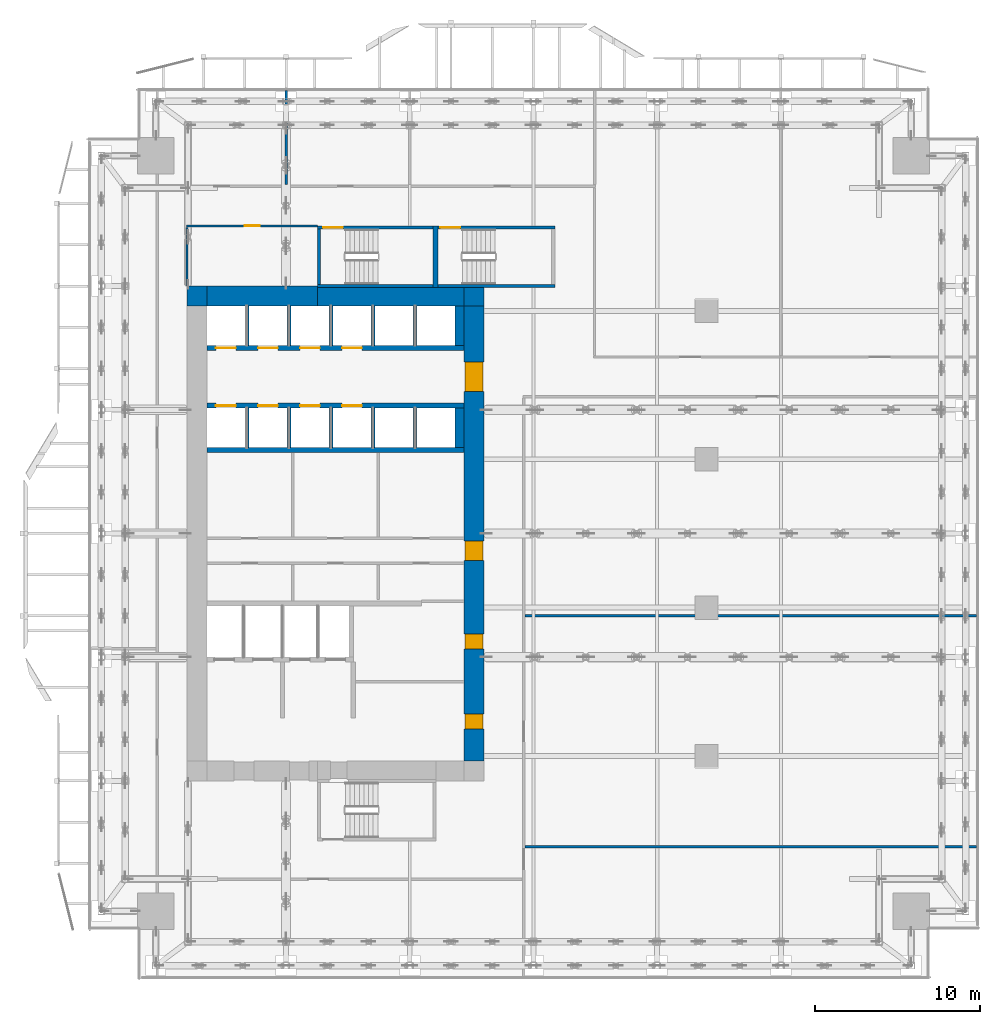
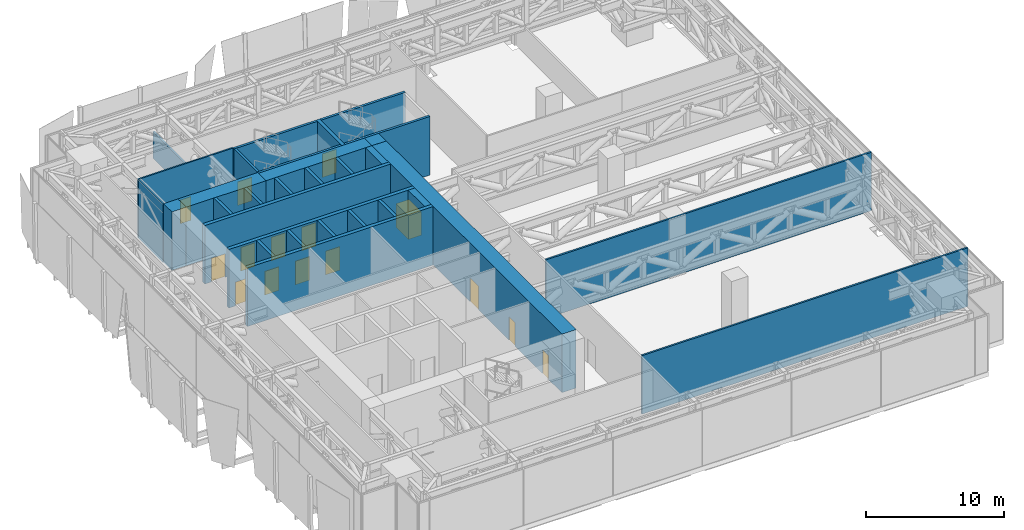
# One storey, part 31 of 39: 31 walls, 15 doors, 15 openings.
"""IFC4 building model written with IfcOpenShell, lengths in metres."""

from ifc_helpers import new_model, si_unit, direction, frame, frame_2d, origin, place, context, subcontext, project, spatial, rectangle, extrude, source, transform, mapped, material, layer, layer_set, type_object, element, fill, save


model = new_model("IFC4")

# Units and contexts
model_context = context("Model", 3, precision=1e-05, world=origin(), true_north=direction((0.0, 1.0)))
body_context = subcontext(model_context, "Body", "Model", "MODEL_VIEW")
ifc_project = project(units=[si_unit("LENGTHUNIT", "METRE"), si_unit("AREAUNIT", "SQUARE_METRE"), si_unit("VOLUMEUNIT", "CUBIC_METRE"), si_unit("PLANEANGLEUNIT", "RADIAN"), si_unit("MASSUNIT", "GRAM", prefix="KILO")], contexts=[model_context])

# Site, building, storey
site_placement = place(None, origin())
site = spatial("IfcSite", under=ifc_project, at=site_placement, CompositionType="ELEMENT")
building_placement = place(site_placement, origin())
building = spatial("IfcBuilding", under=site, at=building_placement, Name="Khomas Fold Tower", CompositionType="ELEMENT")
storey_placement = place(building_placement, frame((0.0, 0.0, 96.0)))
storey = spatial("IfcBuildingStorey", under=building, at=storey_placement, Name="L20", CompositionType="ELEMENT", Elevation=96.0)

# Walls
ifc_material_1 = material(Name="Concrete C70/85", Category="concrete")
ifc_layer_1 = layer(ifc_material_1, 1.199951171875)
ifc_layer_set_1 = layer_set([ifc_layer_1], Name="Concrete C70/85")
wall_type_1 = type_object("IfcWallType", Name="Core wall 1200", PredefinedType="SHEAR", material=ifc_layer_set_1)
shared_shape_1 = source(origin(), body_context, "Body", "SweptSolid", [
    extrude(rectangle(XDim=6.699951171875, YDim=1.199951171875, at=frame_2d((3.35009765625, 0.0))), origin(), (0.0, 0.0, 1.0), 5.199951171875),
])
wall_1_placement = place(storey_placement, frame((7.199951171875, 41.39990234375, 0.0), z_axis=(0.0, 0.0, 1.0), x_axis=(1.0, 0.0, 0.0)))
element("IfcWall", 1, at=wall_1_placement, inside=storey, type_object=wall_type_1, Name="Core wall CW-L-N-B2", PredefinedType="SHEAR", context=body_context, shape_type="MappedRepresentation", body=[
    mapped(shared_shape_1, transform((0.0, 0.0, 0.0))),
])
ifc_material_2 = material(Name="Concrete C70/85", Category="concrete")
ifc_layer_2 = layer(ifc_material_2, 1.10009765625)
ifc_layer_set_2 = layer_set([ifc_layer_2], Name="Concrete C70/85")
wall_type_2 = type_object("IfcWallType", Name="Core wall 1100", PredefinedType="SHEAR", material=ifc_layer_set_2)
shared_shape_2 = source(origin(), body_context, "Body", "SweptSolid", [
    extrude(rectangle(XDim=8.900146484375, YDim=1.10009765625, at=frame_2d((4.4501953125, 0.0))), origin(), (0.0, 0.0, 1.0), 5.199951171875),
])
wall_2_placement = place(storey_placement, frame((13.89990234375, 41.35009765625, 0.0), z_axis=(0.0, 0.0, 1.0), x_axis=(1.0, 0.0, 0.0)))
element("IfcWall", 2, at=wall_2_placement, inside=storey, type_object=wall_type_2, Name="Core wall CW-L-N-B2-1", PredefinedType="SHEAR", context=body_context, shape_type="MappedRepresentation", body=[
    mapped(shared_shape_2, transform((0.0, 0.0, 0.0))),
])
ifc_material_3 = material(Name="Concrete C70/85", Category="concrete")
ifc_layer_3 = layer(ifc_material_3, 1.10009765625)
ifc_layer_set_3 = layer_set([ifc_layer_3], Name="Concrete C70/85")
wall_type_3 = type_object("IfcWallType", Name="Core corner wall 1100", PredefinedType="SHEAR", material=ifc_layer_set_3)
shared_shape_3 = source(origin(), body_context, "Body", "SweptSolid", [
    extrude(rectangle(XDim=1.199951171875, YDim=1.10009765625, at=frame_2d((0.60009765625, 0.0))), origin(), (0.0, 0.0, 1.0), 5.199951171875),
])
wall_3_placement = place(storey_placement, frame((22.800048828125, 41.35009765625, 0.0), z_axis=(0.0, 0.0, 1.0), x_axis=(1.0, 0.0, 0.0)))
element("IfcWall", 3, at=wall_3_placement, inside=storey, type_object=wall_type_3, Name="Core wall CW-L-NE-B2", PredefinedType="SHEAR", context=body_context, shape_type="MappedRepresentation", body=[
    mapped(shared_shape_3, transform((0.0, 0.0, 0.0))),
])
ifc_material_4 = material(Name="Concrete C70/85", Category="concrete")
ifc_layer_4 = layer(ifc_material_4, 1.199951171875)
ifc_layer_set_4 = layer_set([ifc_layer_4], Name="Concrete C70/85")
wall_type_4 = type_object("IfcWallType", Name="Core corner wall 1200", PredefinedType="SHEAR", material=ifc_layer_set_4)
shared_shape_4 = source(origin(), body_context, "Body", "SweptSolid", [
    extrude(rectangle(XDim=1.199951171875, YDim=1.199951171875, at=frame_2d((0.60009765625, 0.0))), origin(), (0.0, 0.0, 1.0), 5.199951171875),
])
wall_4_placement = place(storey_placement, frame((6.0, 41.39990234375, 0.0), z_axis=(0.0, 0.0, 1.0), x_axis=(1.0, 0.0, 0.0)))
element("IfcWall", 4, at=wall_4_placement, inside=storey, type_object=wall_type_4, Name="Core wall CW-L-NW-B2", PredefinedType="SHEAR", context=body_context, shape_type="MappedRepresentation", body=[
    mapped(shared_shape_4, transform((0.0, 0.0, 0.0))),
])

# Wall, openings, doors
shared_shape_5 = source(origin(), body_context, "Body", "SweptSolid", [
    extrude(rectangle(XDim=27.60009765625, YDim=1.199951171875, at=frame_2d((13.800048828125, 0.0))), origin(), (0.0, 0.0, 1.0), 5.199951171875),
])
wall_5_placement = place(storey_placement, frame((23.39990234375, 13.199951171875, 0.0), z_axis=(0.0, 0.0, 1.0), x_axis=(0.0, 1.0, 0.0)))
wall_5 = element("IfcWall", 5, at=wall_5_placement, inside=storey, type_object=wall_type_1, Name="Core wall CW-L-E-B2", PredefinedType="SHEAR", context=body_context, shape_type="MappedRepresentation", body=[
    mapped(shared_shape_5, transform((0.0, 0.0, 0.0))),
])
shared_shape_6 = source(origin(), body_context, "Body", "SweptSolid", [
    extrude(rectangle(XDim=1.800048828125, YDim=2.10009765625, at=frame_2d((0.89990234375, 1.050048828125))), frame((0.0, 0.60986328125, 0.0), z_axis=(0.0, -1.0, 0.0), x_axis=(1.0, 0.0, 0.0)), (0.0, 0.0, 1.0), 1.219970703125),
])
opening_1_placement = place(wall_5_placement, frame((22.39990234375, 0.0, 0.0)))
opening_1 = element("IfcOpeningElement", 6, at=opening_1_placement, cuts=wall_5, Name="Opening 0015", PredefinedType="OPENING", context=body_context, shape_type="MappedRepresentation", body=[
    mapped(shared_shape_6, transform((0.0, 0.0, 0.0))),
])
shared_shape_7 = source(origin(), body_context, "Body", "SweptSolid", [
    extrude(rectangle(XDim=1.199951171875, YDim=2.10009765625, at=frame_2d((0.60009765625, 1.050048828125))), frame((0.0, 0.60986328125, 0.0), z_axis=(0.0, -1.0, 0.0), x_axis=(1.0, 0.0, 0.0)), (0.0, 0.0, 1.0), 1.219970703125),
])
opening_2_placement = place(wall_5_placement, frame((12.14990234375, 0.0, 0.0)))
opening_2 = element("IfcOpeningElement", 7, at=opening_2_placement, cuts=wall_5, Name="Opening 0001", PredefinedType="OPENING", context=body_context, shape_type="MappedRepresentation", body=[
    mapped(shared_shape_7, transform((0.0, 0.0, 0.0))),
])
shared_shape_8 = source(origin(), body_context, "Body", "SweptSolid", [
    extrude(rectangle(XDim=0.89990234375, YDim=2.10009765625, at=frame_2d((0.449951171875, 1.050048828125))), frame((0.0, 0.60986328125, 0.0), z_axis=(0.0, -1.0, 0.0), x_axis=(1.0, 0.0, 0.0)), (0.0, 0.0, 1.0), 1.219970703125),
])
opening_3_placement = place(wall_5_placement, frame((1.949951171875, 0.0, 0.0)))
opening_3 = element("IfcOpeningElement", 8, at=opening_3_placement, cuts=wall_5, Name="Opening 0008", PredefinedType="OPENING", context=body_context, shape_type="MappedRepresentation", body=[
    mapped(shared_shape_8, transform((0.0, 0.0, 0.0))),
])
opening_4_placement = place(wall_5_placement, frame((6.800048828125, 0.0, 0.0)))
opening_4 = element("IfcOpeningElement", 9, at=opening_4_placement, cuts=wall_5, Name="Opening 0003", PredefinedType="OPENING", context=body_context, shape_type="MappedRepresentation", body=[
    mapped(shared_shape_8, transform((0.0, 0.0, 0.0))),
])
ifc_material_5 = material(Name="Timber door leaf", Category="wood")
door_type_1 = type_object("IfcDoorType", Name="Door 1200x2100 right-hand", OperationType="SINGLE_SWING_RIGHT", PredefinedType="DOOR", material=ifc_material_5)
shared_shape_9 = source(origin(), body_context, "Body", "SweptSolid", [
    extrude(rectangle(XDim=1.199951171875, YDim=2.10009765625, at=frame_2d((0.60009765625, 1.050048828125))), frame((0.0, 0.5498046875, 0.0), z_axis=(0.0, -1.0, 0.0), x_axis=(1.0, 0.0, 0.0)), (0.0, 0.0, 1.0), 1.099853515625),
])
door_1_placement = place(opening_2_placement, origin())
door_1 = element("IfcDoor", 10, at=door_1_placement, inside=storey, type_object=door_type_1, Name="Door", OperationType="SINGLE_SWING_RIGHT", OverallHeight=2.10009765625, OverallWidth=1.199951171875, PredefinedType="DOOR", context=body_context, shape_type="MappedRepresentation", body=[
    mapped(shared_shape_9, transform((0.0, 0.0, 0.0))),
])
fill(opening_2, door_1)
ifc_material_6 = material(Name="Timber door leaf", Category="wood")
door_type_2 = type_object("IfcDoorType", Name="Door 900x2100 right-hand", OperationType="SINGLE_SWING_RIGHT", PredefinedType="DOOR", material=ifc_material_6)
shared_shape_10 = source(origin(), body_context, "Body", "SweptSolid", [
    extrude(rectangle(XDim=0.89990234375, YDim=2.10009765625, at=frame_2d((0.449951171875, 1.050048828125))), frame((0.0, 0.5498046875, 0.0), z_axis=(0.0, -1.0, 0.0), x_axis=(1.0, 0.0, 0.0)), (0.0, 0.0, 1.0), 1.099853515625),
])
door_2_placement = place(opening_3_placement, origin())
door_2 = element("IfcDoor", 11, at=door_2_placement, inside=storey, type_object=door_type_2, Name="Door", OperationType="SINGLE_SWING_RIGHT", OverallHeight=2.10009765625, OverallWidth=0.89990234375, PredefinedType="DOOR", context=body_context, shape_type="MappedRepresentation", body=[
    mapped(shared_shape_10, transform((0.0, 0.0, 0.0))),
])
fill(opening_3, door_2)
ifc_material_7 = material(Name="Steel door leaf", Category="steel")
door_type_3 = type_object("IfcDoorType", Name="Plant room door 900x2100 right-hand", OperationType="SINGLE_SWING_RIGHT", PredefinedType="DOOR", material=ifc_material_7)
door_3_placement = place(opening_4_placement, origin())
door_3 = element("IfcDoor", 12, at=door_3_placement, inside=storey, type_object=door_type_3, Name="Plant room door", OperationType="SINGLE_SWING_RIGHT", OverallHeight=2.10009765625, OverallWidth=0.89990234375, PredefinedType="DOOR", context=body_context, shape_type="MappedRepresentation", body=[
    mapped(shared_shape_10, transform((0.0, 0.0, 0.0))),
])
fill(opening_4, door_3)
ifc_material_8 = material(Name="Steel door leaf", Category="steel")
door_type_4 = type_object("IfcDoorType", Name="Lobby door 1800x2100", OperationType="DOUBLE_DOOR_SINGLE_SWING", PredefinedType="DOOR", material=ifc_material_8)
shared_shape_11 = source(origin(), body_context, "Body", "SweptSolid", [
    extrude(rectangle(XDim=1.800048828125, YDim=2.10009765625, at=frame_2d((0.89990234375, 1.050048828125))), frame((0.0, 0.5498046875, 0.0), z_axis=(0.0, -1.0, 0.0), x_axis=(1.0, 0.0, 0.0)), (0.0, 0.0, 1.0), 1.099853515625),
])
door_4_placement = place(opening_1_placement, origin())
door_4 = element("IfcDoor", 13, at=door_4_placement, inside=storey, type_object=door_type_4, Name="Lobby door", OperationType="DOUBLE_DOOR_SINGLE_SWING", OverallHeight=2.10009765625, OverallWidth=1.800048828125, PredefinedType="DOOR", context=body_context, shape_type="MappedRepresentation", body=[
    mapped(shared_shape_11, transform((0.0, 0.0, 0.0))),
])
fill(opening_1, door_4)

# Wall, opening, door
ifc_material_9 = material(Name="Concrete C50/60", Category="concrete")
ifc_layer_5 = layer(ifc_material_9, 0.199951171875)
ifc_layer_set_5 = layer_set([ifc_layer_5], Name="Concrete C50/60")
wall_type_5 = type_object("IfcWallType", Name="Stair wall 200", PredefinedType="SHEAR", material=ifc_layer_set_5)
shared_shape_12 = source(origin(), body_context, "Body", "SweptSolid", [
    extrude(rectangle(XDim=7.0, YDim=0.199951171875, at=frame_2d((3.5, 0.0))), origin(), (0.0, 0.0, 1.0), 5.199951171875),
])
wall_6_placement = place(storey_placement, frame((13.89990234375, 45.550048828125, 0.0), z_axis=(0.0, 0.0, 1.0), x_axis=(1.0, 0.0, 0.0)))
wall_6 = element("IfcWall", 14, at=wall_6_placement, inside=storey, type_object=wall_type_5, Name="Stair wall SW-ST1-N", PredefinedType="SHEAR", context=body_context, shape_type="MappedRepresentation", body=[
    mapped(shared_shape_12, transform((0.0, 0.0, 0.0))),
])
shared_shape_13 = source(origin(), body_context, "Body", "SweptSolid", [
    extrude(rectangle(XDim=1.199951171875, YDim=2.10009765625, at=frame_2d((0.60009765625, 1.050048828125))), frame((0.0, 0.10986328125, 0.0), z_axis=(0.0, -1.0, 0.0), x_axis=(1.0, 0.0, 0.0)), (0.0, 0.0, 1.0), 0.219970703125),
])
opening_5_placement = place(wall_6_placement, frame((0.35009765625, 0.0, 0.0)))
opening_5 = element("IfcOpeningElement", 15, at=opening_5_placement, cuts=wall_6, Name="Opening SD-ST1", PredefinedType="OPENING", context=body_context, shape_type="MappedRepresentation", body=[
    mapped(shared_shape_13, transform((0.0, 0.0, 0.0))),
])
ifc_material_10 = material(Name="Steel door leaf", Category="steel")
door_type_5 = type_object("IfcDoorType", Name="Stair door 1200x2100 left-hand", OperationType="SINGLE_SWING_LEFT", PredefinedType="DOOR", material=ifc_material_10)
shared_shape_14 = source(origin(), body_context, "Body", "SweptSolid", [
    extrude(rectangle(XDim=1.199951171875, YDim=2.10009765625, at=frame_2d((0.60009765625, 1.050048828125))), frame((0.0, 0.02490234375, 0.0), z_axis=(0.0, -1.0, 0.0), x_axis=(1.0, 0.0, 0.0)), (0.0, 0.0, 1.0), 0.050048828125),
])
door_5_placement = place(opening_5_placement, origin())
door_5 = element("IfcDoor", 16, at=door_5_placement, inside=storey, type_object=door_type_5, Name="Stair door", OperationType="SINGLE_SWING_LEFT", OverallHeight=2.10009765625, OverallWidth=1.199951171875, PredefinedType="DOOR", context=body_context, shape_type="MappedRepresentation", body=[
    mapped(shared_shape_14, transform((0.0, 0.0, 0.0))),
])
fill(opening_5, door_5)

# Wall
wall_7_placement = place(storey_placement, frame((13.89990234375, 42.0, 0.0), z_axis=(0.0, 0.0, 1.0), x_axis=(1.0, 0.0, 0.0)))
element("IfcWall", 17, at=wall_7_placement, inside=storey, type_object=wall_type_5, Name="Stair wall SW-ST1-S", PredefinedType="SHEAR", context=body_context, shape_type="MappedRepresentation", body=[
    mapped(shared_shape_12, transform((0.0, 0.0, 0.0))),
])

# Wall, opening, door
shared_shape_15 = source(origin(), body_context, "Body", "SweptSolid", [
    extrude(rectangle(XDim=7.10009765625, YDim=0.199951171875, at=frame_2d((3.550048828125, 0.0))), origin(), (0.0, 0.0, 1.0), 5.199951171875),
])
wall_8_placement = place(storey_placement, frame((21.199951171875, 45.550048828125, 0.0), z_axis=(0.0, 0.0, 1.0), x_axis=(1.0, 0.0, 0.0)))
wall_8 = element("IfcWall", 18, at=wall_8_placement, inside=storey, type_object=wall_type_5, Name="Stair wall SW-ST3-N", PredefinedType="SHEAR", context=body_context, shape_type="MappedRepresentation", body=[
    mapped(shared_shape_15, transform((0.0, 0.0, 0.0))),
])
opening_6_placement = place(wall_8_placement, frame((0.14990234375, 0.0, 0.0)))
opening_6 = element("IfcOpeningElement", 19, at=opening_6_placement, cuts=wall_8, Name="Opening SD-ST3", PredefinedType="OPENING", context=body_context, shape_type="MappedRepresentation", body=[
    mapped(shared_shape_13, transform((0.0, 0.0, 0.0))),
])
door_6_placement = place(opening_6_placement, origin())
door_6 = element("IfcDoor", 20, at=door_6_placement, inside=storey, type_object=door_type_5, Name="Stair door", OperationType="SINGLE_SWING_LEFT", OverallHeight=2.10009765625, OverallWidth=1.199951171875, PredefinedType="DOOR", context=body_context, shape_type="MappedRepresentation", body=[
    mapped(shared_shape_14, transform((0.0, 0.0, 0.0))),
])
fill(opening_6, door_6)

# Walls
wall_9_placement = place(storey_placement, frame((21.199951171875, 42.0, 0.0), z_axis=(0.0, 0.0, 1.0), x_axis=(1.0, 0.0, 0.0)))
element("IfcWall", 21, at=wall_9_placement, inside=storey, type_object=wall_type_5, Name="Stair wall SW-ST3-S", PredefinedType="SHEAR", context=body_context, shape_type="MappedRepresentation", body=[
    mapped(shared_shape_15, transform((0.0, 0.0, 0.0))),
])
ifc_material_11 = material(Name="Concrete C50/60", Category="concrete")
ifc_layer_6 = layer(ifc_material_11, 0.300048828125)
ifc_layer_set_6 = layer_set([ifc_layer_6], Name="Concrete C50/60")
wall_type_6 = type_object("IfcWallType", Name="Stair wall 300", PredefinedType="SHEAR", material=ifc_layer_set_6)
shared_shape_16 = source(origin(), body_context, "Body", "SweptSolid", [
    extrude(rectangle(XDim=3.75, YDim=0.300048828125, at=frame_2d((1.875, 0.0))), origin(), (0.0, 0.0, 1.0), 5.199951171875),
])
wall_10_placement = place(storey_placement, frame((21.050048828125, 41.89990234375, 0.0), z_axis=(0.0, 0.0, 1.0), x_axis=(0.0, 1.0, 0.0)))
element("IfcWall", 22, at=wall_10_placement, inside=storey, type_object=wall_type_6, Name="Stair wall SW-ST1-E", PredefinedType="SHEAR", context=body_context, shape_type="MappedRepresentation", body=[
    mapped(shared_shape_16, transform((0.0, 0.0, 0.0))),
])
shared_shape_17 = source(origin(), body_context, "Body", "SweptSolid", [
    extrude(rectangle(XDim=3.349853515625, YDim=0.199951171875, at=frame_2d((1.6748046875, 0.0))), origin(), (0.0, 0.0, 1.0), 5.199951171875),
])
wall_11_placement = place(storey_placement, frame((14.0, 42.10009765625, 0.0), z_axis=(0.0, 0.0, 1.0), x_axis=(0.0, 1.0, 0.0)))
element("IfcWall", 23, at=wall_11_placement, inside=storey, type_object=wall_type_5, Name="Stair wall SW-ST1-W", PredefinedType="SHEAR", context=body_context, shape_type="MappedRepresentation", body=[
    mapped(shared_shape_17, transform((0.0, 0.0, 0.0))),
])
ifc_material_12 = material(Name="Concrete C50/60", Category="concrete")
ifc_layer_7 = layer(ifc_material_12, 0.300048828125)
ifc_layer_set_7 = layer_set([ifc_layer_7], Name="Concrete C50/60")
wall_type_7 = type_object("IfcWallType", Name="Shaft wall 300", PredefinedType="STANDARD", material=ifc_layer_set_7)
shared_shape_18 = source(origin(), body_context, "Body", "SweptSolid", [
    extrude(rectangle(XDim=15.60009765625, YDim=0.300048828125, at=frame_2d((7.800048828125, 0.0))), origin(), (0.0, 0.0, 1.0), 5.199951171875),
])
wall_12_placement = place(storey_placement, frame((7.199951171875, 32.050048828125, 0.0), z_axis=(0.0, 0.0, 1.0), x_axis=(1.0, 0.0, 0.0)))
element("IfcWall", 24, at=wall_12_placement, inside=storey, type_object=wall_type_7, Name="Core wall SW-HRN-B", PredefinedType="STANDARD", context=body_context, shape_type="MappedRepresentation", body=[
    mapped(shared_shape_18, transform((0.0, 0.0, 0.0))),
])

# Wall, openings, doors
wall_13_placement = place(storey_placement, frame((7.199951171875, 38.25, 0.0), z_axis=(0.0, 0.0, 1.0), x_axis=(1.0, 0.0, 0.0)))
wall_13 = element("IfcWall", 25, at=wall_13_placement, inside=storey, type_object=wall_type_7, Name="Core wall SW-LRN-F", PredefinedType="STANDARD", context=body_context, shape_type="MappedRepresentation", body=[
    mapped(shared_shape_18, transform((0.0, 0.0, 0.0))),
])
shared_shape_19 = source(origin(), body_context, "Body", "SweptSolid", [
    extrude(rectangle(XDim=1.199951171875, YDim=2.10009765625, at=frame_2d((0.60009765625, 1.050048828125))), frame((0.0, 0.159912109375, 0.0), z_axis=(0.0, -1.0, 0.0), x_axis=(1.0, 0.0, 0.0)), (0.0, 0.0, 1.0), 0.320068359375),
])
opening_7_placement = place(wall_13_placement, frame((0.550048828125, 0.0, 0.0)))
opening_7 = element("IfcOpeningElement", 26, at=opening_7_placement, cuts=wall_13, Name="Opening LD-LR5", PredefinedType="OPENING", context=body_context, shape_type="MappedRepresentation", body=[
    mapped(shared_shape_19, transform((0.0, 0.0, 0.0))),
])
opening_8_placement = place(wall_13_placement, frame((3.10009765625, 0.0, 0.0)))
opening_8 = element("IfcOpeningElement", 27, at=opening_8_placement, cuts=wall_13, Name="Opening LD-LR6", PredefinedType="OPENING", context=body_context, shape_type="MappedRepresentation", body=[
    mapped(shared_shape_19, transform((0.0, 0.0, 0.0))),
])
opening_9_placement = place(wall_13_placement, frame((5.64990234375, 0.0, 0.0)))
opening_9 = element("IfcOpeningElement", 28, at=opening_9_placement, cuts=wall_13, Name="Opening LD-LR7", PredefinedType="OPENING", context=body_context, shape_type="MappedRepresentation", body=[
    mapped(shared_shape_19, transform((0.0, 0.0, 0.0))),
])
opening_10_placement = place(wall_13_placement, frame((8.199951171875, 0.0, 0.0)))
opening_10 = element("IfcOpeningElement", 29, at=opening_10_placement, cuts=wall_13, Name="Opening LD-LR8", PredefinedType="OPENING", context=body_context, shape_type="MappedRepresentation", body=[
    mapped(shared_shape_19, transform((0.0, 0.0, 0.0))),
])
ifc_material_13 = material(Name="Steel door leaf", Category="steel")
door_type_6 = type_object("IfcDoorType", Name="Landing door 1200x2100", OperationType="DOUBLE_DOOR_SLIDING", PredefinedType="DOOR", material=ifc_material_13)
door_7_placement = place(opening_7_placement, origin())
door_7 = element("IfcDoor", 30, at=door_7_placement, inside=storey, type_object=door_type_6, Name="Lift landing door", OperationType="DOUBLE_DOOR_SLIDING", OverallHeight=2.10009765625, OverallWidth=1.199951171875, PredefinedType="DOOR", context=body_context, shape_type="MappedRepresentation", body=[
    mapped(shared_shape_14, transform((0.0, 0.0, 0.0))),
])
fill(opening_7, door_7)
door_8_placement = place(opening_8_placement, origin())
door_8 = element("IfcDoor", 31, at=door_8_placement, inside=storey, type_object=door_type_6, Name="Lift landing door", OperationType="DOUBLE_DOOR_SLIDING", OverallHeight=2.10009765625, OverallWidth=1.199951171875, PredefinedType="DOOR", context=body_context, shape_type="MappedRepresentation", body=[
    mapped(shared_shape_14, transform((0.0, 0.0, 0.0))),
])
fill(opening_8, door_8)
door_9_placement = place(opening_9_placement, origin())
door_9 = element("IfcDoor", 32, at=door_9_placement, inside=storey, type_object=door_type_6, Name="Lift landing door", OperationType="DOUBLE_DOOR_SLIDING", OverallHeight=2.10009765625, OverallWidth=1.199951171875, PredefinedType="DOOR", context=body_context, shape_type="MappedRepresentation", body=[
    mapped(shared_shape_14, transform((0.0, 0.0, 0.0))),
])
fill(opening_9, door_9)
door_10_placement = place(opening_10_placement, origin())
door_10 = element("IfcDoor", 33, at=door_10_placement, inside=storey, type_object=door_type_6, Name="Lift landing door", OperationType="DOUBLE_DOOR_SLIDING", OverallHeight=2.10009765625, OverallWidth=1.199951171875, PredefinedType="DOOR", context=body_context, shape_type="MappedRepresentation", body=[
    mapped(shared_shape_14, transform((0.0, 0.0, 0.0))),
])
fill(opening_10, door_10)

wall_14_placement = place(storey_placement, frame((7.199951171875, 34.75, 0.0), z_axis=(0.0, 0.0, 1.0), x_axis=(1.0, 0.0, 0.0)))
wall_14 = element("IfcWall", 34, at=wall_14_placement, inside=storey, type_object=wall_type_7, Name="Core wall SW-LRS-F", PredefinedType="STANDARD", context=body_context, shape_type="MappedRepresentation", body=[
    mapped(shared_shape_18, transform((0.0, 0.0, 0.0))),
])
opening_11_placement = place(wall_14_placement, frame((0.550048828125, 0.0, 0.0)))
opening_11 = element("IfcOpeningElement", 35, at=opening_11_placement, cuts=wall_14, Name="Opening LD-LR1", PredefinedType="OPENING", context=body_context, shape_type="MappedRepresentation", body=[
    mapped(shared_shape_19, transform((0.0, 0.0, 0.0))),
])
opening_12_placement = place(wall_14_placement, frame((3.10009765625, 0.0, 0.0)))
opening_12 = element("IfcOpeningElement", 36, at=opening_12_placement, cuts=wall_14, Name="Opening LD-LR2", PredefinedType="OPENING", context=body_context, shape_type="MappedRepresentation", body=[
    mapped(shared_shape_19, transform((0.0, 0.0, 0.0))),
])
opening_13_placement = place(wall_14_placement, frame((5.64990234375, 0.0, 0.0)))
opening_13 = element("IfcOpeningElement", 37, at=opening_13_placement, cuts=wall_14, Name="Opening LD-LR3", PredefinedType="OPENING", context=body_context, shape_type="MappedRepresentation", body=[
    mapped(shared_shape_19, transform((0.0, 0.0, 0.0))),
])
opening_14_placement = place(wall_14_placement, frame((8.199951171875, 0.0, 0.0)))
opening_14 = element("IfcOpeningElement", 38, at=opening_14_placement, cuts=wall_14, Name="Opening LD-LR4", PredefinedType="OPENING", context=body_context, shape_type="MappedRepresentation", body=[
    mapped(shared_shape_19, transform((0.0, 0.0, 0.0))),
])
door_11_placement = place(opening_11_placement, origin())
door_11 = element("IfcDoor", 39, at=door_11_placement, inside=storey, type_object=door_type_6, Name="Lift landing door", OperationType="DOUBLE_DOOR_SLIDING", OverallHeight=2.10009765625, OverallWidth=1.199951171875, PredefinedType="DOOR", context=body_context, shape_type="MappedRepresentation", body=[
    mapped(shared_shape_14, transform((0.0, 0.0, 0.0))),
])
fill(opening_11, door_11)
door_12_placement = place(opening_12_placement, origin())
door_12 = element("IfcDoor", 40, at=door_12_placement, inside=storey, type_object=door_type_6, Name="Lift landing door", OperationType="DOUBLE_DOOR_SLIDING", OverallHeight=2.10009765625, OverallWidth=1.199951171875, PredefinedType="DOOR", context=body_context, shape_type="MappedRepresentation", body=[
    mapped(shared_shape_14, transform((0.0, 0.0, 0.0))),
])
fill(opening_12, door_12)
door_13_placement = place(opening_13_placement, origin())
door_13 = element("IfcDoor", 41, at=door_13_placement, inside=storey, type_object=door_type_6, Name="Lift landing door", OperationType="DOUBLE_DOOR_SLIDING", OverallHeight=2.10009765625, OverallWidth=1.199951171875, PredefinedType="DOOR", context=body_context, shape_type="MappedRepresentation", body=[
    mapped(shared_shape_14, transform((0.0, 0.0, 0.0))),
])
fill(opening_13, door_13)
door_14_placement = place(opening_14_placement, origin())
door_14 = element("IfcDoor", 42, at=door_14_placement, inside=storey, type_object=door_type_6, Name="Lift landing door", OperationType="DOUBLE_DOOR_SLIDING", OverallHeight=2.10009765625, OverallWidth=1.199951171875, PredefinedType="DOOR", context=body_context, shape_type="MappedRepresentation", body=[
    mapped(shared_shape_14, transform((0.0, 0.0, 0.0))),
])
fill(opening_14, door_14)

# Walls
ifc_material_14 = material(Name="Concrete C50/60", Category="concrete")
ifc_layer_8 = layer(ifc_material_14, 0.25)
ifc_layer_set_8 = layer_set([ifc_layer_8], Name="Concrete C50/60")
wall_type_8 = type_object("IfcWallType", Name="Shaft wall 250", PredefinedType="STANDARD", material=ifc_layer_set_8)
shared_shape_20 = source(origin(), body_context, "Body", "SweptSolid", [
    extrude(rectangle(XDim=2.400146484375, YDim=0.25, at=frame_2d((1.2001953125, 0.0))), origin(), (0.0, 0.0, 1.0), 5.199951171875),
])
for number, where, z_axis, x_axis, name in (
    (43, (9.625, 38.39990234375, 0.0), (0.0, 0.0, 1.0), (0.0, 1.0, 0.0), "Core wall SW-LRN-P1"),
    (44, (12.175048828125, 38.39990234375, 0.0), (0.0, 0.0, 1.0), (0.0, 1.0, 0.0), "Core wall SW-LRN-P2"),
    (45, (14.72509765625, 38.39990234375, 0.0), (0.0, 0.0, 1.0), (0.0, 1.0, 0.0), "Core wall SW-LRN-P3"),
    (46, (17.27490234375, 38.39990234375, 0.0), (0.0, 0.0, 1.0), (0.0, 1.0, 0.0), "Core wall SW-LRN-P4"),
    (47, (19.824951171875, 38.39990234375, 0.0), (0.0, 0.0, 1.0), (0.0, 1.0, 0.0), "Core wall SW-LRN-P5"),
    (48, (9.625, 32.199951171875, 0.0), (0.0, 0.0, 1.0), (0.0, 1.0, 0.0), "Core wall SW-LRS-P1"),
    (49, (12.175048828125, 32.199951171875, 0.0), (0.0, 0.0, 1.0), (0.0, 1.0, 0.0), "Core wall SW-LRS-P2"),
    (50, (14.72509765625, 32.199951171875, 0.0), (0.0, 0.0, 1.0), (0.0, 1.0, 0.0), "Core wall SW-LRS-P3"),
    (51, (17.27490234375, 32.199951171875, 0.0), (0.0, 0.0, 1.0), (0.0, 1.0, 0.0), "Core wall SW-LRS-P4"),
    (52, (19.824951171875, 32.199951171875, 0.0), (0.0, 0.0, 1.0), (0.0, 1.0, 0.0), "Core wall SW-LRS-P5"),
):
    element("IfcWall", number, at=place(storey_placement, frame(where, z_axis=z_axis, x_axis=x_axis)), inside=storey, type_object=wall_type_8, Name=name, PredefinedType="STANDARD", context=body_context, shape_type="MappedRepresentation", body=[
        mapped(shared_shape_20, transform((0.0, 0.0, 0.0))),
    ])
ifc_material_15 = material(Name="Concrete C50/60", Category="concrete")
ifc_layer_9 = layer(ifc_material_15, 0.550048828125)
ifc_layer_set_9 = layer_set([ifc_layer_9], Name="Concrete C50/60")
wall_type_9 = type_object("IfcWallType", Name="Shaft wall 550", PredefinedType="STANDARD", material=ifc_layer_set_9)
shared_shape_21 = source(origin(), body_context, "Body", "SweptSolid", [
    extrude(rectangle(XDim=2.400146484375, YDim=0.550048828125, at=frame_2d((1.2001953125, 0.0))), origin(), (0.0, 0.0, 1.0), 5.199951171875),
])
for number, where, z_axis, x_axis, name in (
    (53, (22.52490234375, 38.39990234375, 0.0), (0.0, 0.0, 1.0), (0.0, 1.0, 0.0), "Core wall SW-LRN-PE"),
    (54, (22.52490234375, 32.199951171875, 0.0), (0.0, 0.0, 1.0), (0.0, 1.0, 0.0), "Core wall SW-LRS-PE"),
):
    element("IfcWall", number, at=place(storey_placement, frame(where, z_axis=z_axis, x_axis=x_axis)), inside=storey, type_object=wall_type_9, Name=name, PredefinedType="STANDARD", context=body_context, shape_type="MappedRepresentation", body=[
        mapped(shared_shape_21, transform((0.0, 0.0, 0.0))),
    ])
ifc_material_16 = material(Name="Plasterboard partition")
ifc_layer_10 = layer(ifc_material_16, 0.125)
ifc_layer_set_10 = layer_set([ifc_layer_10], Name="Plasterboard partition")
wall_type_10 = type_object("IfcWallType", Name="Partition PW2 125", PredefinedType="PARTITIONING", material=ifc_layer_set_10)
shared_shape_22 = source(origin(), body_context, "Body", "SweptSolid", [
    extrude(rectangle(XDim=3.550048828125, YDim=0.125, at=frame_2d((1.77490234375, 0.0))), origin(), (0.0, 0.0, 1.0), 5.199951171875),
])
wall_15_placement = place(storey_placement, frame((6.0, 42.0, 0.0), z_axis=(0.0, 0.0, 1.0), x_axis=(0.0, 1.0, 0.0)))
element("IfcWall", 55, at=wall_15_placement, inside=storey, type_object=wall_type_10, Name="Partition", PredefinedType="PARTITIONING", context=body_context, shape_type="MappedRepresentation", body=[
    mapped(shared_shape_22, transform((0.0, 0.0, 0.0))),
])

# Wall, opening, door
shared_shape_23 = source(origin(), body_context, "Body", "SweptSolid", [
    extrude(rectangle(XDim=7.949951171875, YDim=0.125, at=frame_2d((3.97509765625, 0.0))), origin(), (0.0, 0.0, 1.0), 5.199951171875),
])
wall_16_placement = place(storey_placement, frame((5.949951171875, 45.64990234375, 0.0), z_axis=(0.0, 0.0, 1.0), x_axis=(1.0, 0.0, 0.0)))
wall_16 = element("IfcWall", 56, at=wall_16_placement, inside=storey, type_object=wall_type_10, Name="Partition", PredefinedType="PARTITIONING", context=body_context, shape_type="MappedRepresentation", body=[
    mapped(shared_shape_23, transform((0.0, 0.0, 0.0))),
])
shared_shape_24 = source(origin(), body_context, "Body", "SweptSolid", [
    extrude(rectangle(XDim=0.89990234375, YDim=2.10009765625, at=frame_2d((0.449951171875, 1.050048828125))), frame((0.0, 0.072509765625, 0.0), z_axis=(0.0, -1.0, 0.0), x_axis=(1.0, 0.0, 0.0)), (0.0, 0.0, 1.0), 0.14501953125),
])
opening_15_placement = place(wall_16_placement, frame((3.550048828125, 0.0, 0.0)))
opening_15 = element("IfcOpeningElement", 57, at=opening_15_placement, cuts=wall_16, Name="Opening 0007", PredefinedType="OPENING", context=body_context, shape_type="MappedRepresentation", body=[
    mapped(shared_shape_24, transform((0.0, 0.0, 0.0))),
])
ifc_material_17 = material(Name="Timber door leaf", Category="wood")
door_type_7 = type_object("IfcDoorType", Name="Door 900x2100 left-hand", OperationType="SINGLE_SWING_LEFT", PredefinedType="DOOR", material=ifc_material_17)
shared_shape_25 = source(origin(), body_context, "Body", "SweptSolid", [
    extrude(rectangle(XDim=0.89990234375, YDim=2.10009765625, at=frame_2d((0.449951171875, 1.050048828125))), frame((0.0, 0.02490234375, 0.0), z_axis=(0.0, -1.0, 0.0), x_axis=(1.0, 0.0, 0.0)), (0.0, 0.0, 1.0), 0.050048828125),
])
door_15_placement = place(opening_15_placement, origin())
door_15 = element("IfcDoor", 58, at=door_15_placement, inside=storey, type_object=door_type_7, Name="Door", OperationType="SINGLE_SWING_LEFT", OverallHeight=2.10009765625, OverallWidth=0.89990234375, PredefinedType="DOOR", context=body_context, shape_type="MappedRepresentation", body=[
    mapped(shared_shape_25, transform((0.0, 0.0, 0.0))),
])
fill(opening_15, door_15)

# Walls
ifc_material_18 = material(Name="Plasterboard fire partition")
ifc_layer_11 = layer(ifc_material_18, 0.14990234375)
ifc_layer_set_11 = layer_set([ifc_layer_11], Name="Plasterboard fire partition")
wall_type_11 = type_object("IfcWallType", Name="Plant room wall PW3 150", PredefinedType="PARTITIONING", material=ifc_layer_set_11)
shared_shape_26 = source(origin(), body_context, "Body", "SweptSolid", [
    extrude(rectangle(XDim=27.35009765625, YDim=0.14990234375, at=frame_2d((13.675048828125, 0.0))), origin(), (0.0, 0.0, 1.0), 5.199951171875),
])
for number, where, z_axis, x_axis, name in (
    (59, (26.5, 8.0, 0.0), (0.0, 0.0, 1.0), (1.0, 0.0, 0.0), "Plant room wall"),
    (60, (26.5, 22.0, 0.0), (0.0, 0.0, 1.0), (1.0, 0.0, 0.0), "Plant room wall"),
):
    element("IfcWall", number, at=place(storey_placement, frame(where, z_axis=z_axis, x_axis=x_axis)), inside=storey, type_object=wall_type_11, Name=name, PredefinedType="PARTITIONING", context=body_context, shape_type="MappedRepresentation", body=[
        mapped(shared_shape_26, transform((0.0, 0.0, 0.0))),
    ])
shared_shape_27 = source(origin(), body_context, "Body", "SweptSolid", [
    extrude(rectangle(XDim=5.7001953125, YDim=0.14990234375, at=frame_2d((2.85009765625, 0.0))), origin(), (0.0, 0.0, 1.0), 2.35009765625),
])
wall_17_placement = place(storey_placement, frame((12.0, 48.14990234375, 0.0), z_axis=(0.0, 0.0, 1.0), x_axis=(0.0, 1.0, 0.0)))
element("IfcWall", 61, at=wall_17_placement, inside=storey, type_object=wall_type_11, Name="Plant room wall", PredefinedType="PARTITIONING", context=body_context, shape_type="MappedRepresentation", body=[
    mapped(shared_shape_27, transform((0.0, 0.0, 0.0))),
])

save(model, "model.ifc")
